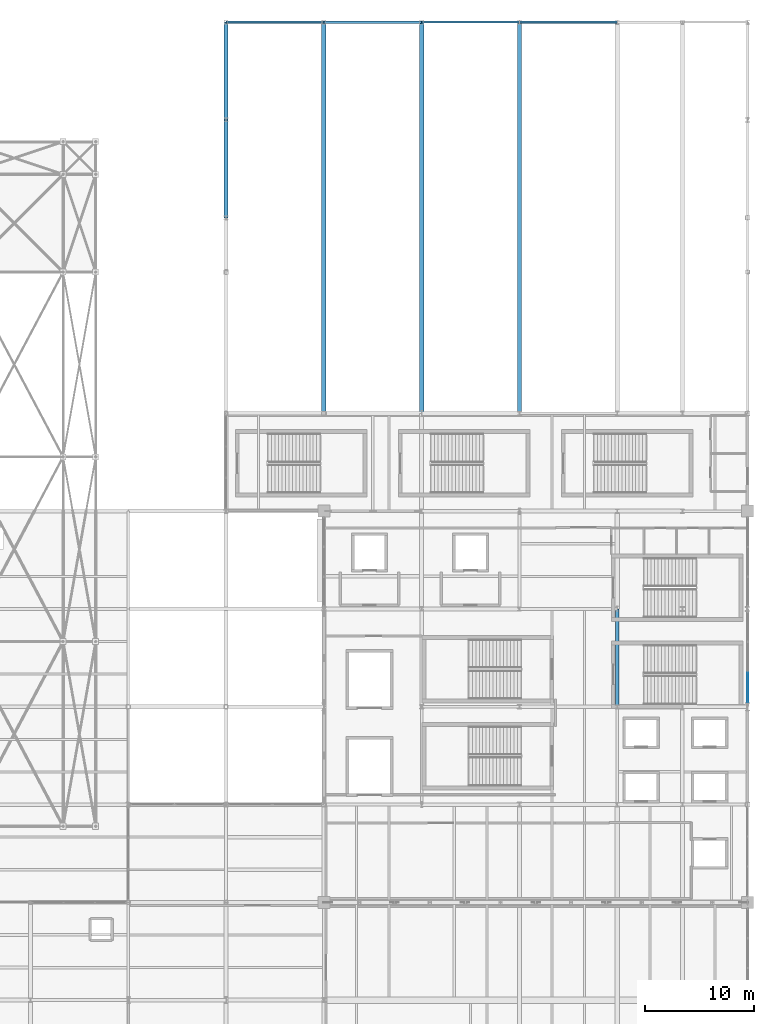
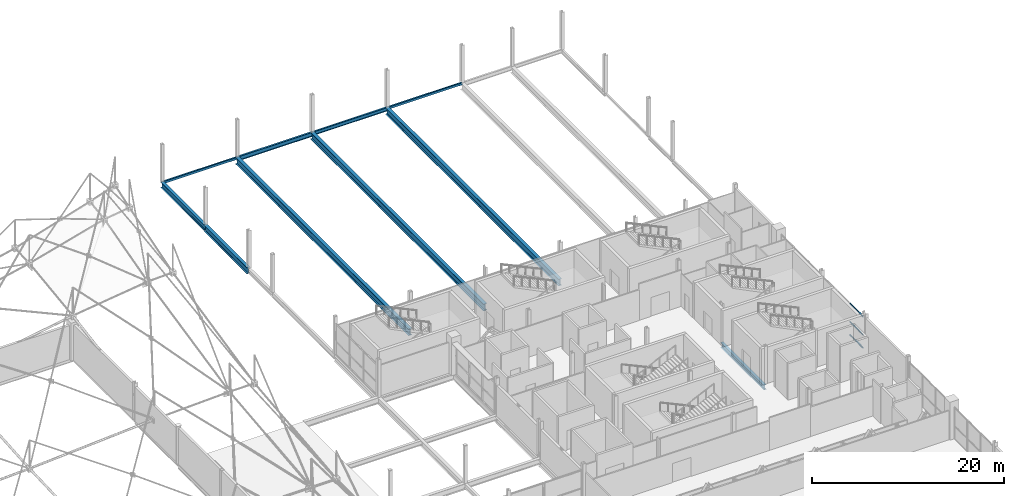
# One storey, part 156 of 224: 10 beams, 3 members, 1 element without a shape of its own.
"""IFC4 building model written with IfcOpenShell, lengths in metres."""

import ifcopenshell
import ifcopenshell.guid

model = None  # the IFC model being written
_history = None  # IfcOwnerHistory: only IFC2X3 demands one
_inside = {}  # id of a spatial element -> (the spatial element, [elements in it])
_under = {}  # id of a project, library or spatial element -> (it, [spatial elements below it])
_declared = {}  # id of a project -> (the project, [libraries it declares])
_typed = {}  # id of a type object -> (the type object, [elements of that type])
_made_of = {}  # id of a material, layer set ... -> (it, [elements and type objects made of it])


def new_model(schema):
    """Start an empty IFC model of exactly this schema.

    Asked for "IFC4X3", IfcOpenShell would pick the latest addendum, in which some entities
    have other attributes; the version numbers below select the first issue.
    IFC2X3 requires an IfcOwnerHistory on every rooted entity: one is made here for all.
    """
    global model, _history
    if schema == "IFC4X3":
        model = ifcopenshell.file(schema_version=(4, 3, 0, 0))
    else:
        model = ifcopenshell.file(schema=schema)
    _inside.clear()
    _under.clear()
    _declared.clear()
    _typed.clear()
    _made_of.clear()
    _history = None
    if model.schema == "IFC2X3":
        org = make("IfcOrganization", Name="unknown")
        user = make(
            "IfcPersonAndOrganization",
            ThePerson=make("IfcPerson", FamilyName="unknown"),
            TheOrganization=org,
        )
        app = make(
            "IfcApplication",
            ApplicationDeveloper=org,
            Version="unknown",
            ApplicationFullName="unknown",
            ApplicationIdentifier="unknown",
        )
        _history = make(
            "IfcOwnerHistory",
            OwningUser=user,
            OwningApplication=app,
            ChangeAction="ADDED",
            CreationDate=0,
        )
    return model


def make(cls, **values):
    """One entity of the class cls with the attributes given. An attribute that is None is left unset."""
    return model.create_entity(
        cls, **{name: value for name, value in values.items() if value is not None}
    )


def rooted(cls, **values):
    """An entity with a GlobalId (a new one), such as an element, a storey or a relation."""
    return make(cls, GlobalId=ifcopenshell.guid.new(), OwnerHistory=_history, **values)


def si_unit(unit_type, name, prefix=None):
    """IfcSIUnit, for example si_unit("LENGTHUNIT", "METRE", prefix="MILLI")."""
    return make("IfcSIUnit", UnitType=unit_type, Prefix=prefix, Name=name)


def assignment(units):
    """IfcUnitAssignment: the units of a project."""
    return None if units is None else make("IfcUnitAssignment", Units=units)


def point(xyz):
    """IfcCartesianPoint."""
    return None if xyz is None else make("IfcCartesianPoint", Coordinates=xyz)


def direction(xyz):
    """IfcDirection."""
    return None if xyz is None else make("IfcDirection", DirectionRatios=xyz)


def frame(location, z_axis=None, x_axis=None):
    """IfcAxis2Placement3D, a coordinate frame: its origin and axes. An axis left out is left unset."""
    return make(
        "IfcAxis2Placement3D",
        Location=point(location),
        Axis=direction(z_axis),
        RefDirection=direction(x_axis),
    )


def frame_2d(location, x_axis=None):
    """IfcAxis2Placement2D, a coordinate frame in the plane: its origin and x axis."""
    return make(
        "IfcAxis2Placement2D", Location=point(location), RefDirection=direction(x_axis)
    )


def origin():
    """The frame at (0, 0, 0) with its axes left unset."""
    return frame((0.0, 0.0, 0.0))


def origin_2d():
    """The frame at (0, 0) in the plane with its x axis left unset."""
    return frame_2d((0.0, 0.0))


def place(relative_to, where):
    """IfcLocalPlacement: puts the frame where relative to a parent placement (None: the world)."""
    return make(
        "IfcLocalPlacement", PlacementRelTo=relative_to, RelativePlacement=where
    )


def context(
    kind, dimensions, precision=None, world=None, true_north=None, identifier=None
):
    """IfcGeometricRepresentationContext, for example the 3D "Model" context."""
    return make(
        "IfcGeometricRepresentationContext",
        ContextIdentifier=identifier,
        ContextType=kind,
        CoordinateSpaceDimension=dimensions,
        Precision=precision,
        WorldCoordinateSystem=world,
        TrueNorth=true_north,
    )


def subcontext(parent, identifier, kind, view, scale=None):
    """IfcGeometricRepresentationSubContext, for example "Body" below "Model"."""
    return make(
        "IfcGeometricRepresentationSubContext",
        ContextIdentifier=identifier,
        ContextType=kind,
        ParentContext=parent,
        TargetScale=scale,
        TargetView=view,
    )


def project(units=None, contexts=None):
    """IfcProject with its units and contexts."""
    return rooted(
        "IfcProject",
        Name="project",
        RepresentationContexts=contexts,
        UnitsInContext=assignment(units),
    )


def spatial(cls, under=None, at=None, **own):
    """A site, building, storey or space (cls), placed at a placement, below another one or the project."""
    s = rooted(cls, ObjectPlacement=at, **own)
    if under is not None:
        _under.setdefault(under.id(), (under, []))[1].append(s)
    return s


def profile(cls, at=None, kind="AREA", **sizes):
    """A parametric profile (cls). Its sizes go by their IFC names, for example OverallWidth=200.0."""
    return make(cls, ProfileType=kind, Position=at, **sizes)


def rectangle(**sizes):
    """IfcRectangleProfileDef."""
    return profile("IfcRectangleProfileDef", **sizes)


def hollow_rectangle(**sizes):
    """IfcRectangleHollowProfileDef."""
    return profile("IfcRectangleHollowProfileDef", **sizes)


def i_section(**sizes):
    """IfcIShapeProfileDef."""
    return profile("IfcIShapeProfileDef", **sizes)


def extrude(swept, where, along, depth):
    """IfcExtrudedAreaSolid: the profile swept, set in the frame where, extruded along a direction by depth."""
    return make(
        "IfcExtrudedAreaSolid",
        SweptArea=swept,
        Position=where,
        ExtrudedDirection=direction(along),
        Depth=depth,
    )


def shape(context_of_items, identifier, shape_type, items):
    """IfcShapeRepresentation: the items that make up one representation, for example the "Body"."""
    return make(
        "IfcShapeRepresentation",
        ContextOfItems=context_of_items,
        RepresentationIdentifier=identifier,
        RepresentationType=shape_type,
        Items=items,
    )


def material(Name=None, Category=None):
    """IfcMaterial."""
    return make("IfcMaterial", Name=Name, Category=Category)


def layer(
    of_material, thickness, ventilated=None, Name=None, Category=None, Priority=None
):
    """IfcMaterialLayer: one layer of a wall or slab, of a material (None: an air gap)."""
    return make(
        "IfcMaterialLayer",
        Material=of_material,
        LayerThickness=thickness,
        IsVentilated=ventilated,
        Name=Name,
        Category=Category,
        Priority=Priority,
    )


def layer_set(layers, Name=None):
    """IfcMaterialLayerSet."""
    return make("IfcMaterialLayerSet", MaterialLayers=layers, LayerSetName=Name)


def material_profile(
    of_material, cross_section, Name=None, Category=None, Priority=None
):
    """IfcMaterialProfile: a cross section and its material."""
    return make(
        "IfcMaterialProfile",
        Name=Name,
        Material=of_material,
        Profile=cross_section,
        Priority=Priority,
        Category=Category,
    )


def profile_set(profiles, Name=None, composite=None):
    """IfcMaterialProfileSet."""
    return make(
        "IfcMaterialProfileSet",
        Name=Name,
        MaterialProfiles=profiles,
        CompositeProfile=composite,
    )


def made_of(thing, what):
    """Note that an element or type object is made of a material, layer set ...; save() writes the relation."""
    if what is not None:
        _made_of.setdefault(what.id(), (what, []))[1].append(thing)
    return thing


def type_object(cls, material=None, **own):
    """A type object (cls), such as IfcWallType, which elements share."""
    return made_of(rooted(cls, **own), material)


def element(
    cls,
    number,
    at=None,
    inside=None,
    cuts=None,
    type_object=None,
    material=None,
    context=None,
    identifier="Body",
    shape_type=None,
    held_by="IfcProductDefinitionShape",
    body=None,
    shapes=None,
    **own,
):
    """One element of the class cls, such as IfcWall. Its Tag is "e" and its number.

    at: its placement. inside: the storey or other place that contains it. cuts: it is an
    opening in that element (IfcRelVoidsElement). A single representation is given by context,
    identifier, shape_type and body (its items); several are given by shapes. held_by: the class
    of the entity that holds the representations. save() writes the other relations.
    """
    e = rooted(cls, Tag="e%d" % number, ObjectPlacement=at, **own)
    if body is not None:
        shapes = [shape(context, identifier, shape_type, body)]
    if shapes is not None:
        e.Representation = make(held_by, Representations=shapes)
    if inside is not None:
        _inside.setdefault(inside.id(), (inside, []))[1].append(e)
    if cuts is not None:
        rooted(
            "IfcRelVoidsElement", RelatingBuildingElement=cuts, RelatedOpeningElement=e
        )
    if type_object is not None:
        _typed.setdefault(type_object.id(), (type_object, []))[1].append(e)
    return made_of(e, material)


def aggregate(whole, parts):
    """IfcRelAggregates: a whole, such as a stair, and the parts it consists of."""
    return rooted("IfcRelAggregates", RelatingObject=whole, RelatedObjects=parts)


def save(model, path):
    """Write the relations noted so far, then the file.

    IfcRelAggregates (storeys below a building ...), IfcRelContainedInSpatialStructure (elements
    in a storey), IfcRelDefinesByType, IfcRelAssociatesMaterial and IfcRelDeclares: one each for
    every whole, place, type object, material and project.
    """
    for whole, parts in _under.values():
        aggregate(whole, parts)
    for where, things in _inside.values():
        rooted(
            "IfcRelContainedInSpatialStructure",
            RelatedElements=things,
            RelatingStructure=where,
        )
    for kind, things in _typed.values():
        rooted("IfcRelDefinesByType", RelatedObjects=things, RelatingType=kind)
    for what, things in _made_of.values():
        rooted("IfcRelAssociatesMaterial", RelatedObjects=things, RelatingMaterial=what)
    for by, libraries in _declared.values():
        rooted("IfcRelDeclares", RelatingContext=by, RelatedDefinitions=libraries)
    model.write(path)


model = new_model("IFC4")

# Units and contexts
model_context = context("Model", 3, precision=1e-05, world=origin(), true_north=direction((0.0, 1.0)))
body_context = subcontext(model_context, "Body", "Model", "MODEL_VIEW")
ifc_project = project(units=[si_unit("LENGTHUNIT", "METRE"), si_unit("AREAUNIT", "SQUARE_METRE"), si_unit("VOLUMEUNIT", "CUBIC_METRE"), si_unit("PLANEANGLEUNIT", "RADIAN"), si_unit("MASSUNIT", "GRAM", prefix="KILO")], contexts=[model_context])

# Site, building, storey
site_placement = place(None, origin())
site = spatial("IfcSite", under=ifc_project, at=site_placement, CompositionType="ELEMENT")
building_placement = place(site_placement, origin())
building = spatial("IfcBuilding", under=site, at=building_placement, Name="Qamarlyn Nura Convention Centre", CompositionType="ELEMENT")
storey_placement = place(building_placement, frame((0.0, 0.0, 10.800048828125)))
storey = spatial("IfcBuildingStorey", under=building, at=storey_placement, Name="L02", CompositionType="ELEMENT", Elevation=10.800048828125)

# Beams
ifc_material_1 = material(Name="Steel ASTM A992", Category="steel")
ifc_material_profile_1 = material_profile(ifc_material_1, i_section(OverallWidth=0.323974609375, OverallDepth=0.611083984375, WebThickness=0.0126953125, FlangeThickness=0.01904296875, FilletRadius=0.01611328125, at=origin_2d()), Name="W610X155")
ifc_profile_set_1 = profile_set([ifc_material_profile_1], Name="Steel ASTM A992")
beam_type_1 = type_object("IfcBeamType", Name="BM-GIRD-610", PredefinedType="BEAM", material=ifc_profile_set_1)
beam_1_placement = place(storey_placement, frame((180.0, 63.0, -0.525634765625), z_axis=(0.0, 1.0, 0.0), x_axis=(-1.0, 0.0, 0.0)))
element("IfcBeam", 1, at=beam_1_placement, inside=storey, type_object=beam_type_1, Name="L02 girder 16 H-J", PredefinedType="BEAM", context=body_context, shape_type="SweptSolid", body=[
    extrude(i_section(OverallWidth=0.323974609375, OverallDepth=0.611083984375, WebThickness=0.0126953125, FlangeThickness=0.01904296875, FilletRadius=0.01611328125, at=origin_2d()), origin(), (0.0, 0.0, 1.0), 9.0),
])
ifc_material_profile_2 = material_profile(ifc_material_1, i_section(OverallWidth=0.35498046875, OverallDepth=0.695068359375, WebThickness=0.015380859375, FlangeThickness=0.02490234375, FilletRadius=0.01806640625, at=origin_2d()), Name="W690X217")
ifc_profile_set_2 = profile_set([ifc_material_profile_2], Name="Steel ASTM A992")
beam_type_2 = type_object("IfcBeamType", Name="BM-GIRD-690A", PredefinedType="BEAM", material=ifc_profile_set_2)
beam_2_placement = place(storey_placement, frame((144.0, 117.0, -0.34765625), z_axis=(0.0, 1.0, 0.0), x_axis=(-1.0, 0.0, 0.0)))
element("IfcBeam", 2, at=beam_2_placement, inside=storey, type_object=beam_type_2, Name="L02 girder 12 P-Q", PredefinedType="BEAM", context=body_context, shape_type="SweptSolid", body=[
    extrude(i_section(OverallWidth=0.35498046875, OverallDepth=0.695068359375, WebThickness=0.015380859375, FlangeThickness=0.02490234375, FilletRadius=0.01806640625, at=origin_2d()), origin(), (0.0, 0.0, 1.0), 9.0),
])
ifc_material_profile_3 = material_profile(ifc_material_1, i_section(OverallWidth=0.381103515625, OverallDepth=0.77294921875, WebThickness=0.0166015625, FlangeThickness=0.027587890625, FilletRadius=0.02001953125, at=origin_2d()), Name="W760X257")
ifc_profile_set_3 = profile_set([ifc_material_profile_3], Name="Steel ASTM A992")
beam_type_3 = type_object("IfcBeamType", Name="BM-GIRD-760", PredefinedType="BEAM", material=ifc_profile_set_3)
beam_3_placement = place(storey_placement, frame((144.0, 108.0, -0.386474609375), z_axis=(0.0, 1.0, 0.0), x_axis=(-1.0, 0.0, 0.0)))
element("IfcBeam", 3, at=beam_3_placement, inside=storey, type_object=beam_type_3, Name="L02 girder 12 N-P", PredefinedType="BEAM", context=body_context, shape_type="SweptSolid", body=[
    extrude(i_section(OverallWidth=0.381103515625, OverallDepth=0.77294921875, WebThickness=0.0166015625, FlangeThickness=0.027587890625, FilletRadius=0.02001953125, at=origin_2d()), origin(), (0.0, 0.0, 1.0), 9.0),
])
ifc_material_profile_4 = material_profile(ifc_material_1, i_section(OverallWidth=0.39990234375, OverallDepth=0.85498046875, WebThickness=0.018310546875, FlangeThickness=0.029296875, FilletRadius=0.02197265625, at=origin_2d()), Name="W840X299")
ifc_profile_set_4 = profile_set([ifc_material_profile_4], Name="Steel ASTM A992")
beam_type_4 = type_object("IfcBeamType", Name="BM-GIRD-840", PredefinedType="BEAM", material=ifc_profile_set_4)
for number, where, z_axis, x_axis, name in (
    (4, (153.0, 90.0, -0.427490234375), (0.0, 1.0, 0.0), (-1.0, 0.0, 0.0), "L02 girder 13 L-Q"),
    (5, (162.0, 90.0, -0.427490234375), (0.0, 1.0, 0.0), (-1.0, 0.0, 0.0), "L02 girder 14 L-Q"),
    (6, (171.0, 90.0, -0.427490234375), (0.0, 1.0, 0.0), (-1.0, 0.0, 0.0), "L02 girder 15 L-Q"),
):
    element("IfcBeam", number, at=place(storey_placement, frame(where, z_axis=z_axis, x_axis=x_axis)), inside=storey, type_object=beam_type_4, Name=name, PredefinedType="BEAM", context=body_context, shape_type="SweptSolid", body=[
        extrude(i_section(OverallWidth=0.39990234375, OverallDepth=0.85498046875, WebThickness=0.018310546875, FlangeThickness=0.029296875, FilletRadius=0.02197265625, at=origin_2d()), origin(), (0.0, 0.0, 1.0), 36.0),
    ])
ifc_material_profile_5 = material_profile(ifc_material_1, i_section(OverallWidth=0.193115234375, OverallDepth=0.466064453125, WebThickness=0.011474609375, FlangeThickness=0.01904296875, FilletRadius=0.012939453125, at=origin_2d()), Name="W460X97")
ifc_profile_set_5 = profile_set([ifc_material_profile_5], Name="Steel ASTM A992")
beam_type_5 = type_object("IfcBeamType", Name="BM-SPAN-460", PredefinedType="SPANDREL", material=ifc_profile_set_5)
beam_4_placement = place(storey_placement, frame((162.0, 126.0, -0.233154296875), z_axis=(1.0, 0.0, 0.0), x_axis=(0.0, 1.0, 0.0)))
element("IfcBeam", 7, at=beam_4_placement, inside=storey, type_object=beam_type_5, Name="L02 girder Q 14-15", PredefinedType="SPANDREL", context=body_context, shape_type="SweptSolid", body=[
    extrude(i_section(OverallWidth=0.193115234375, OverallDepth=0.466064453125, WebThickness=0.011474609375, FlangeThickness=0.01904296875, FilletRadius=0.012939453125, at=origin_2d()), origin(), (0.0, 0.0, 1.0), 9.0),
])
ifc_material_profile_6 = material_profile(ifc_material_1, i_section(OverallWidth=0.2109375, OverallDepth=0.5390625, WebThickness=0.01171875, FlangeThickness=0.018798828125, FilletRadius=0.013916015625, at=origin_2d()), Name="W530X109")
ifc_profile_set_6 = profile_set([ifc_material_profile_6], Name="Steel ASTM A992")
beam_type_6 = type_object("IfcBeamType", Name="BM-SPAN-530", PredefinedType="SPANDREL", material=ifc_profile_set_6)
beam_5_placement = place(storey_placement, frame((153.0, 126.0, -0.26953125), z_axis=(1.0, 0.0, 0.0), x_axis=(0.0, 1.0, 0.0)))
element("IfcBeam", 8, at=beam_5_placement, inside=storey, type_object=beam_type_6, Name="L02 girder Q 13-14", PredefinedType="SPANDREL", context=body_context, shape_type="SweptSolid", body=[
    extrude(i_section(OverallWidth=0.2109375, OverallDepth=0.5390625, WebThickness=0.01171875, FlangeThickness=0.018798828125, FilletRadius=0.013916015625, at=origin_2d()), origin(), (0.0, 0.0, 1.0), 9.0),
])
ifc_material_2 = material(Name="Steel ASTM A500 Grade C", Category="steel")
ifc_material_profile_7 = material_profile(ifc_material_2, hollow_rectangle(XDim=0.199951171875, YDim=0.300048828125, WallThickness=0.012451171875, InnerFilletRadius=0.012451171875, OuterFilletRadius=0.02490234375, at=origin_2d()), Name="HSS300X200X12.5")
ifc_profile_set_7 = profile_set([ifc_material_profile_7], Name="Steel ASTM A500 Grade C")
beam_type_7 = type_object("IfcBeamType", Name="BM-SPAN-HSS", PredefinedType="SPANDREL", material=ifc_profile_set_7)
for number, where, z_axis, x_axis, name in (
    (9, (144.0, 126.0, -0.150146484375), (1.0, 0.0, 0.0), (0.0, 1.0, 0.0), "L02 girder Q 12-13"),
    (10, (171.0, 126.0, -0.150146484375), (1.0, 0.0, 0.0), (0.0, 1.0, 0.0), "L02 girder Q 15-16"),
):
    element("IfcBeam", number, at=place(storey_placement, frame(where, z_axis=z_axis, x_axis=x_axis)), inside=storey, type_object=beam_type_7, Name=name, PredefinedType="SPANDREL", context=body_context, shape_type="SweptSolid", body=[
        extrude(hollow_rectangle(XDim=0.199951171875, YDim=0.300048828125, WallThickness=0.012451171875, InnerFilletRadius=0.012451171875, OuterFilletRadius=0.02490234375, at=origin_2d()), origin(), (0.0, 0.0, 1.0), 9.0),
    ])

# Curtain wall, members
ifc_material_3 = material(Name="Double-silver low-E insulated glass", Category="glass")
ifc_layer = layer(ifc_material_3, 0.179931640625, Name="CW-UNIT-95")
ifc_layer_set = layer_set([ifc_layer], Name="Double-silver low-E insulated glass")
curtain_wall_type = type_object("IfcCurtainWallType", Name="CW-UNIT-95", PredefinedType="NOTDEFINED", material=ifc_layer_set)
curtain_wall_placement = place(storey_placement, origin())
curtain_wall = element("IfcCurtainWall", 11, at=curtain_wall_placement, inside=storey, type_object=curtain_wall_type, Name="L02 unitised curtain wall EAST-8-1", PredefinedType="NOTDEFINED")
ifc_material_4 = material(Name="Champagne-anodised marine aluminium", Category="aluminium")
ifc_material_profile_8 = material_profile(ifc_material_4, rectangle(XDim=0.070068359375, YDim=0.139892578125, at=origin_2d()), Name="ALU TRANSOM 70x140")
ifc_profile_set_8 = profile_set([ifc_material_profile_8], Name="Champagne-anodised marine aluminium")
member_type = type_object("IfcMemberType", Name="CWT-140", PredefinedType="USERDEFINED", material=ifc_profile_set_8)
member_1_placement = place(storey_placement, frame((192.0, 66.125732421875, 0.034912109375), z_axis=(0.0, -1.0, 0.0), x_axis=(1.0, 0.0, 0.0)))
member_1 = element("IfcMember", 12, at=member_1_placement, type_object=member_type, Name="CW95 transom 3.1", ObjectType="TRANSOM", PredefinedType="USERDEFINED", context=body_context, shape_type="SweptSolid", body=[
    extrude(rectangle(XDim=0.070068359375, YDim=0.139892578125, at=origin_2d()), origin(), (0.0, 0.0, 1.0), 2.708251953125),
])
member_2_placement = place(storey_placement, frame((192.0, 66.125732421875, 1.698974609375), z_axis=(0.0, -1.0, 0.0), x_axis=(1.0, 0.0, 0.0)))
member_2 = element("IfcMember", 13, at=member_2_placement, type_object=member_type, Name="CW95 transom 3.2", ObjectType="TRANSOM", PredefinedType="USERDEFINED", context=body_context, shape_type="SweptSolid", body=[
    extrude(rectangle(XDim=0.070068359375, YDim=0.139892578125, at=origin_2d()), origin(), (0.0, 0.0, 1.0), 2.708251953125),
])
member_3_placement = place(storey_placement, frame((192.0, 66.125732421875, 4.010986328125), z_axis=(0.0, -1.0, 0.0), x_axis=(1.0, 0.0, 0.0)))
member_3 = element("IfcMember", 14, at=member_3_placement, type_object=member_type, Name="CW95 transom 3.3", ObjectType="TRANSOM", PredefinedType="USERDEFINED", context=body_context, shape_type="SweptSolid", body=[
    extrude(rectangle(XDim=0.070068359375, YDim=0.139892578125, at=origin_2d()), origin(), (0.0, 0.0, 1.0), 2.708251953125),
])
aggregate(curtain_wall, [member_1, member_2, member_3])

save(model, "model.ifc")
